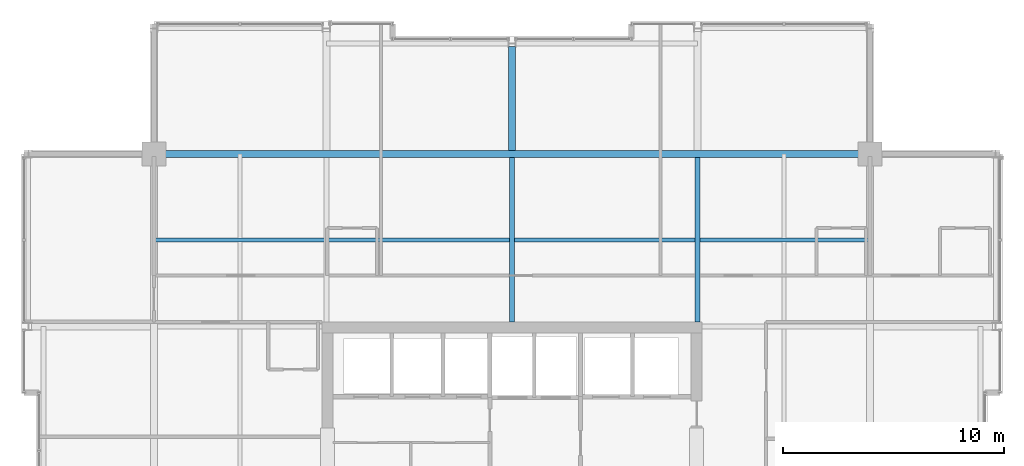
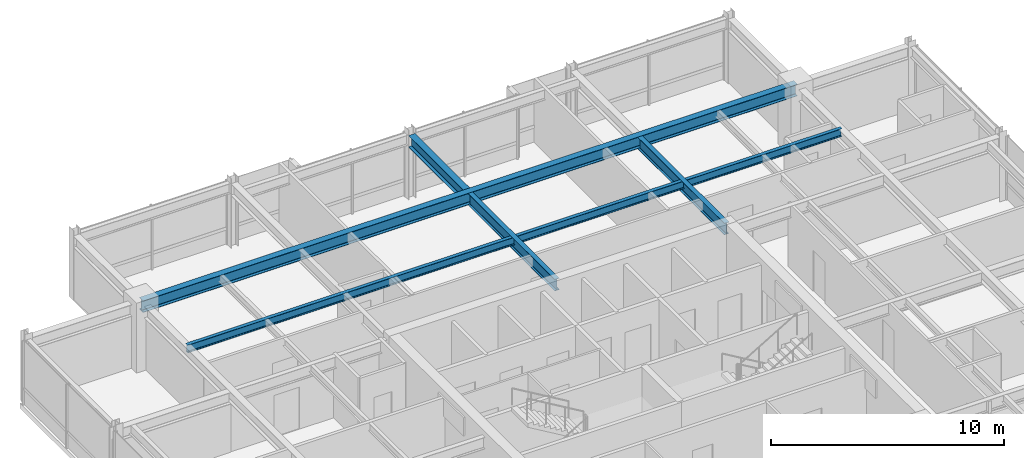
# One storey, part 22 of 34: 5 beams.
"""IFC4 building model written with IfcOpenShell, lengths in metres."""

from ifc_helpers import new_model, si_unit, direction, frame, origin, origin_2d, place, context, subcontext, project, spatial, i_section, extrude, material, material_profile, profile_set, type_object, element, save


model = new_model("IFC4")

# Units and contexts
model_context = context("Model", 3, precision=1e-05, world=origin(), true_north=direction((0.0, 1.0)))
body_context = subcontext(model_context, "Body", "Model", "MODEL_VIEW")
ifc_project = project(units=[si_unit("LENGTHUNIT", "METRE"), si_unit("AREAUNIT", "SQUARE_METRE"), si_unit("VOLUMEUNIT", "CUBIC_METRE"), si_unit("PLANEANGLEUNIT", "RADIAN"), si_unit("MASSUNIT", "GRAM", prefix="KILO")], contexts=[model_context])

# Site, building, storey
site_placement = place(None, origin())
site = spatial("IfcSite", under=ifc_project, at=site_placement, CompositionType="ELEMENT")
building_placement = place(site_placement, origin())
building = spatial("IfcBuilding", under=site, at=building_placement, Name="Drelvath Grand Hotel", CompositionType="ELEMENT")
storey_placement = place(building_placement, frame((0.0, 0.0, 290.550048828125)))
storey = spatial("IfcBuildingStorey", under=building, at=storey_placement, Name="L76", CompositionType="ELEMENT", Elevation=290.550048828125)

# Beams
ifc_material = material(Name="Steel ASTM A992 Gr 50", Category="steel")
ifc_material_profile_1 = material_profile(ifc_material, i_section(OverallWidth=0.177734375, OverallDepth=0.40673828125, WebThickness=0.0078125, FlangeThickness=0.0126953125, FilletRadius=0.014892578125, at=origin_2d()), Name="W16X40")
ifc_profile_set_1 = profile_set([ifc_material_profile_1], Name="Steel ASTM A992 Gr 50")
beam_type_1 = type_object("IfcBeamType", Name="Composite Floor Joist W16X40", PredefinedType="JOIST", material=ifc_profile_set_1)
beam_1_placement = place(storey_placement, frame((-16.199951171875, 39.300048828125, 3.146484375), z_axis=(1.0, 0.0, 0.0), x_axis=(0.0, 1.0, 0.0)))
element("IfcBeam", 1, at=beam_1_placement, inside=storey, type_object=beam_type_1, Name="L76 Floor Joist J2", PredefinedType="JOIST", context=body_context, shape_type="SweptSolid", body=[
    extrude(i_section(OverallWidth=0.177734375, OverallDepth=0.40673828125, WebThickness=0.0078125, FlangeThickness=0.0126953125, FilletRadius=0.014892578125, at=origin_2d()), origin(), (0.0, 0.0, 1.0), 32.39990234375),
])
ifc_material_profile_2 = material_profile(ifc_material, i_section(OverallWidth=0.323974609375, OverallDepth=0.611083984375, WebThickness=0.0126953125, FlangeThickness=0.01904296875, FilletRadius=0.02197265625, at=origin_2d()), Name="W24X104")
ifc_profile_set_2 = profile_set([ifc_material_profile_2], Name="Steel ASTM A992 Gr 50")
beam_type_2 = type_object("IfcBeamType", Name="Primary Floor Girder W24X104", PredefinedType="BEAM", material=ifc_profile_set_2)
beam_2_placement = place(storey_placement, frame((-16.199951171875, 43.199951171875, 3.04443359375), z_axis=(1.0, 0.0, 0.0), x_axis=(0.0, 1.0, 0.0)))
element("IfcBeam", 2, at=beam_2_placement, inside=storey, type_object=beam_type_2, Name="L76 Mega Ring Girder North", PredefinedType="BEAM", context=body_context, shape_type="SweptSolid", body=[
    extrude(i_section(OverallWidth=0.323974609375, OverallDepth=0.611083984375, WebThickness=0.0126953125, FlangeThickness=0.01904296875, FilletRadius=0.02197265625, at=origin_2d()), origin(), (0.0, 0.0, 1.0), 32.39990234375),
])
beam_3_placement = place(storey_placement, frame((0.0, 43.362060546875, 3.04443359375), z_axis=(0.0, 1.0, 0.0), x_axis=(-1.0, 0.0, 0.0)))
element("IfcBeam", 3, at=beam_3_placement, inside=storey, type_object=beam_type_2, Name="L76 North Wing Girder 5", PredefinedType="BEAM", context=body_context, shape_type="SweptSolid", body=[
    extrude(i_section(OverallWidth=0.323974609375, OverallDepth=0.611083984375, WebThickness=0.0126953125, FlangeThickness=0.01904296875, FilletRadius=0.02197265625, at=origin_2d()), origin(), (0.0, 0.0, 1.0), 4.697998046875),
])
ifc_material_profile_3 = material_profile(ifc_material, i_section(OverallWidth=0.228271484375, OverallDepth=0.607666015625, WebThickness=0.01123046875, FlangeThickness=0.017333984375, FilletRadius=0.02001953125, at=origin_2d()), Name="W24X76")
ifc_profile_set_3 = profile_set([ifc_material_profile_3], Name="Steel ASTM A992 Gr 50")
beam_type_3 = type_object("IfcBeamType", Name="Primary Floor Girder W24X76", PredefinedType="BEAM", material=ifc_profile_set_3)
for number, where, z_axis, x_axis, name in (
    (4, (0.0, 35.60009765625, 3.046142578125), (0.0, 1.0, 0.0), (-1.0, 0.0, 0.0), "L76 North Core Tie 5"),
    (5, (8.39990234375, 35.60009765625, 3.046142578125), (0.0, 1.0, 0.0), (-1.0, 0.0, 0.0), "L76 North Core Tie 6"),
):
    element("IfcBeam", number, at=place(storey_placement, frame(where, z_axis=z_axis, x_axis=x_axis)), inside=storey, type_object=beam_type_3, Name=name, PredefinedType="BEAM", context=body_context, shape_type="SweptSolid", body=[
        extrude(i_section(OverallWidth=0.228271484375, OverallDepth=0.607666015625, WebThickness=0.01123046875, FlangeThickness=0.017333984375, FilletRadius=0.02001953125, at=origin_2d()), origin(), (0.0, 0.0, 1.0), 7.43798828125),
    ])

save(model, "model.ifc")
